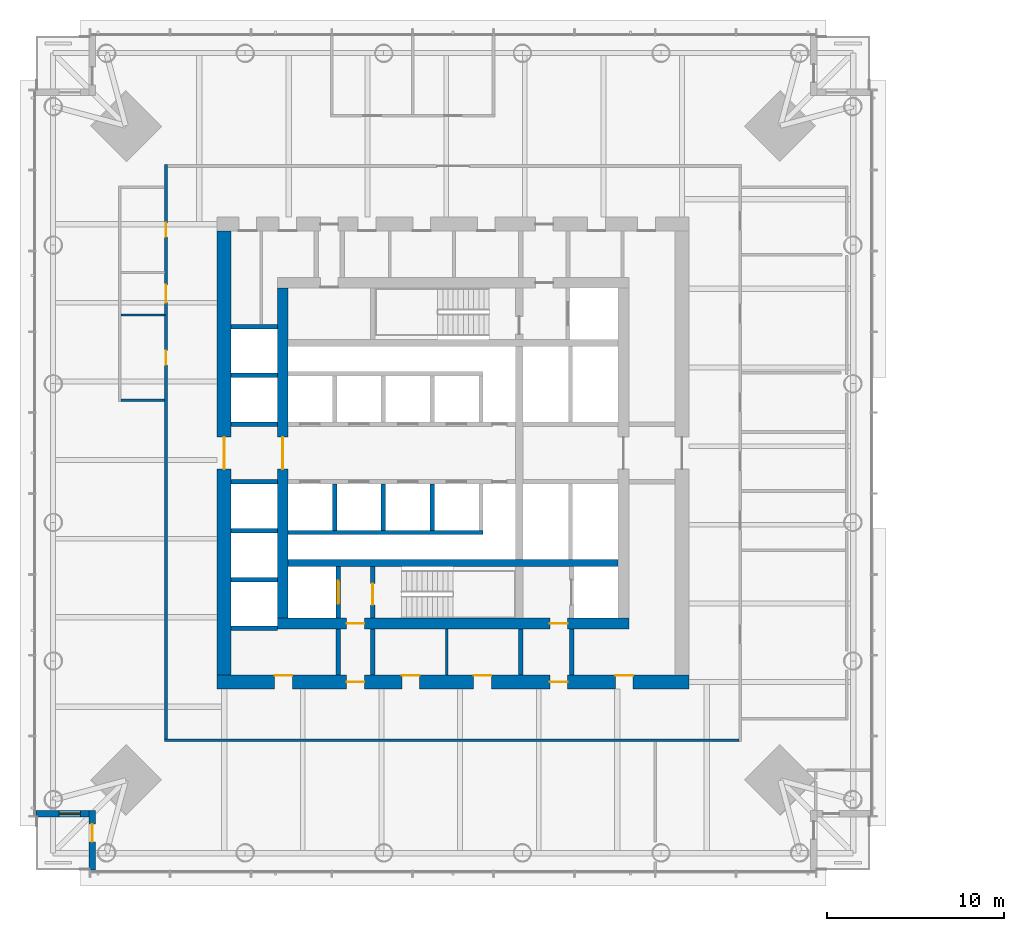
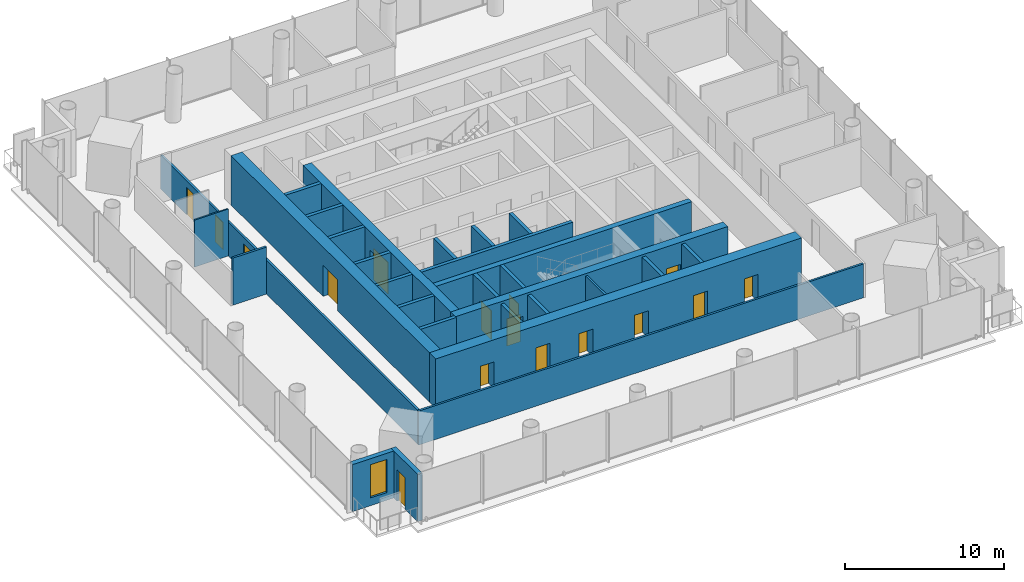
# One storey, part 9 of 26: 29 walls, 16 doors, 1 window, 17 openings.
"""IFC4 building model written with IfcOpenShell, lengths in metres."""

from ifc_helpers import new_model, si_unit, direction, frame, frame_2d, origin, place, context, subcontext, project, spatial, rectangle, extrude, material, layer, layer_set, type_object, element, fill, save


model = new_model("IFC4")

# Units and contexts
model_context = context("Model", 3, precision=1e-05, world=origin(), true_north=direction((0.0, 1.0)))
body_context = subcontext(model_context, "Body", "Model", "MODEL_VIEW")
ifc_project = project(units=[si_unit("LENGTHUNIT", "METRE"), si_unit("AREAUNIT", "SQUARE_METRE"), si_unit("VOLUMEUNIT", "CUBIC_METRE"), si_unit("PLANEANGLEUNIT", "RADIAN"), si_unit("MASSUNIT", "GRAM", prefix="KILO")], contexts=[model_context])

# Site, building, storey
site_placement = place(None, origin())
site = spatial("IfcSite", under=ifc_project, at=site_placement, CompositionType="ELEMENT")
building_placement = place(site_placement, origin())
building = spatial("IfcBuilding", under=site, at=building_placement, Name="Ostroluk Exchange", CompositionType="ELEMENT")
storey_placement = place(building_placement, frame((0.0, 0.0, 66.60009765625)))
storey = spatial("IfcBuildingStorey", under=building, at=storey_placement, Name="L16", CompositionType="ELEMENT", Elevation=66.60009765625)

# Walls
ifc_material_1 = material(Name="Concrete blockwork", Category="masonry")
ifc_layer_1 = layer(ifc_material_1, 0.10009765625)
ifc_layer_set_1 = layer_set([ifc_layer_1], Name="Blockwork WC wall 100")
wall_type_1 = type_object("IfcWallType", Name="Blockwork WC wall 100", PredefinedType="SOLIDWALL", material=ifc_layer_set_1)
wall_1_placement = place(storey_placement, frame((28.75, 53.77490234375, 0.0), z_axis=(0.0, 0.0, 1.0), x_axis=(-1.0, 0.0, 0.0)))
element("IfcWall", 1, at=wall_1_placement, inside=storey, type_object=wall_type_1, Name="Blockwork WC wall", PredefinedType="SOLIDWALL", context=body_context, shape_type="SweptSolid", body=[
    extrude(rectangle(XDim=2.449951171875, YDim=0.10009765625, at=frame_2d((1.22509765625, 0.0))), origin(), (0.0, 0.0, 1.0), 3.619873046875),
])
ifc_material_2 = material(Name="Concrete blockwork", Category="masonry")
ifc_layer_2 = layer(ifc_material_2, 0.14990234375)
ifc_layer_set_2 = layer_set([ifc_layer_2], Name="Blockwork plant room wall 150")
wall_type_2 = type_object("IfcWallType", Name="Blockwork plant room wall 150", PredefinedType="SOLIDWALL", material=ifc_layer_set_2)
wall_2_placement = place(storey_placement, frame((44.639892578125, 33.5, 0.0), z_axis=(0.0, 0.0, 1.0), x_axis=(0.0, 1.0, 0.0)))
element("IfcWall", 2, at=wall_2_placement, inside=storey, type_object=wall_type_2, Name="Core room wall", PredefinedType="SOLIDWALL", context=body_context, shape_type="SweptSolid", body=[
    extrude(rectangle(XDim=2.60009765625, YDim=0.14990234375, at=frame_2d((1.300048828125, 0.0))), origin(), (0.0, 0.0, 1.0), 3.619873046875),
])
ifc_material_3 = material(Name="Concrete blockwork", Category="masonry")
ifc_layer_3 = layer(ifc_material_3, 0.25)
ifc_layer_set_3 = layer_set([ifc_layer_3], Name="Blockwork stair enclosure wall 250")
wall_type_3 = type_object("IfcWallType", Name="Blockwork stair enclosure wall 250", PredefinedType="SOLIDWALL", material=ifc_layer_set_3)
for number, where, z_axis, x_axis, name in (
    (3, (38.52490234375, 33.5, 0.0), (0.0, 0.0, 1.0), (0.0, 1.0, 0.0), "Fire lobby enclosure wall"),
    (4, (40.47509765625, 33.5, 0.0), (0.0, 0.0, 1.0), (0.0, 1.0, 0.0), "Fire lobby enclosure wall"),
    (5, (48.804931640625, 33.5, 0.0), (0.0, 0.0, 1.0), (0.0, 1.0, 0.0), "Service lobby enclosure wall"),
    (6, (51.675048828125, 33.5, 0.0), (0.0, 0.0, 1.0), (0.0, 1.0, 0.0), "Service lobby enclosure wall"),
):
    element("IfcWall", number, at=place(storey_placement, frame(where, z_axis=z_axis, x_axis=x_axis)), inside=storey, type_object=wall_type_3, Name=name, PredefinedType="SOLIDWALL", context=body_context, shape_type="SweptSolid", body=[
        extrude(rectangle(XDim=2.60009765625, YDim=0.25, at=frame_2d((1.300048828125, 0.0))), origin(), (0.0, 0.0, 1.0), 3.619873046875),
    ])
ifc_material_4 = material(Name="Concrete C50/60", Category="concrete")
ifc_layer_4 = layer(ifc_material_4, 0.39990234375)
ifc_layer_set_4 = layer_set([ifc_layer_4], Name="Core cross wall 400 C50/60")
wall_type_4 = type_object("IfcWallType", Name="Core cross wall 400 C50/60", PredefinedType="SHEAR", material=ifc_layer_set_4)
wall_3_placement = place(storey_placement, frame((35.699951171875, 39.800048828125, 0.0), z_axis=(0.0, 0.0, 1.0), x_axis=(1.0, 0.0, 0.0)))
element("IfcWall", 7, at=wall_3_placement, inside=storey, type_object=wall_type_4, Name="T1 core wall XS", PredefinedType="SHEAR", context=body_context, shape_type="SweptSolid", body=[
    extrude(rectangle(XDim=18.60009765625, YDim=0.39990234375, at=frame_2d((9.300048828125, 0.0))), origin(), (0.0, 0.0, 1.0), 3.7998046875),
])

# Wall, opening, door
ifc_material_5 = material(Name="Concrete C40/50", Category="concrete")
ifc_layer_5 = layer(ifc_material_5, 0.25)
ifc_layer_set_5 = layer_set([ifc_layer_5], Name="Core shaft wall 250")
wall_type_5 = type_object("IfcWallType", Name="Core shaft wall 250", PredefinedType="SHEAR", material=ifc_layer_set_5)
wall_4_placement = place(storey_placement, frame((38.52490234375, 36.699951171875, 0.0), z_axis=(0.0, 0.0, 1.0), x_axis=(0.0, 1.0, 0.0)))
wall_4 = element("IfcWall", 8, at=wall_4_placement, inside=storey, type_object=wall_type_5, Name="Firefighting lift shaft wall", PredefinedType="SHEAR", context=body_context, shape_type="SweptSolid", body=[
    extrude(rectangle(XDim=2.900146484375, YDim=0.25, at=frame_2d((1.4501953125, 0.0))), origin(), (0.0, 0.0, 1.0), 3.7998046875),
])
opening_1_placement = place(wall_4_placement, frame((0.800048828125, 0.0, 0.0)))
opening_1 = element("IfcOpeningElement", 9, at=opening_1_placement, cuts=wall_4, Name="Opening LD2", PredefinedType="OPENING", context=body_context, shape_type="SweptSolid", body=[
    extrude(rectangle(XDim=1.300048828125, YDim=2.199951171875, at=frame_2d((0.64990234375, 1.10009765625))), frame((0.0, 0.135009765625, 0.0), z_axis=(0.0, -1.0, 0.0), x_axis=(1.0, 0.0, 0.0)), (0.0, 0.0, 1.0), 0.27001953125),
])
ifc_material_6 = material(Name="Stainless steel", Category="steel")
door_type_1 = type_object("IfcDoorType", Name="Lift landing door E 60 1300 x 2200", OperationType="DOUBLE_DOOR_SLIDING", PredefinedType="DOOR", material=ifc_material_6)
door_1_placement = place(opening_1_placement, origin())
door_1 = element("IfcDoor", 10, at=door_1_placement, inside=storey, type_object=door_type_1, Name="Lift FL1 landing door", OperationType="DOUBLE_DOOR_SLIDING", OverallHeight=2.199951171875, OverallWidth=1.300048828125, PredefinedType="DOOR", context=body_context, shape_type="SweptSolid", body=[
    extrude(rectangle(XDim=1.300048828125, YDim=2.199951171875, at=frame_2d((0.64990234375, 1.10009765625))), frame((0.0, 0.02490234375, 0.0), z_axis=(0.0, -1.0, 0.0), x_axis=(1.0, 0.0, 0.0)), (0.0, 0.0, 1.0), 0.050048828125),
])
fill(opening_1, door_1)

wall_5_placement = place(storey_placement, frame((40.47509765625, 36.699951171875, 0.0), z_axis=(0.0, 0.0, 1.0), x_axis=(0.0, 1.0, 0.0)))
wall_5 = element("IfcWall", 11, at=wall_5_placement, inside=storey, type_object=wall_type_5, Name="Stair shaft wall", PredefinedType="SHEAR", context=body_context, shape_type="SweptSolid", body=[
    extrude(rectangle(XDim=2.900146484375, YDim=0.25, at=frame_2d((1.4501953125, 0.0))), origin(), (0.0, 0.0, 1.0), 3.7998046875),
])
opening_2_placement = place(wall_5_placement, frame((0.75, 0.0, 0.0)))
opening_2 = element("IfcOpeningElement", 12, at=opening_2_placement, cuts=wall_5, Name="Opening FD60S", PredefinedType="OPENING", context=body_context, shape_type="SweptSolid", body=[
    extrude(rectangle(XDim=1.199951171875, YDim=2.10009765625, at=frame_2d((0.60009765625, 1.050048828125))), frame((0.0, 0.135009765625, 0.0), z_axis=(0.0, -1.0, 0.0), x_axis=(1.0, 0.0, 0.0)), (0.0, 0.0, 1.0), 0.27001953125),
])
ifc_material_7 = material(Name="Steel", Category="steel")
door_type_2 = type_object("IfcDoorType", Name="Stair door EI 60 1200 x 2100", OperationType="SINGLE_SWING_LEFT", PredefinedType="DOOR", material=ifc_material_7)
door_2_placement = place(opening_2_placement, origin())
door_2 = element("IfcDoor", 13, at=door_2_placement, inside=storey, type_object=door_type_2, Name="Stair T1-S1 door", OperationType="SINGLE_SWING_LEFT", OverallHeight=2.10009765625, OverallWidth=1.199951171875, PredefinedType="DOOR", context=body_context, shape_type="SweptSolid", body=[
    extrude(rectangle(XDim=1.199951171875, YDim=2.10009765625, at=frame_2d((0.60009765625, 1.050048828125))), frame((0.0, 0.02490234375, 0.0), z_axis=(0.0, -1.0, 0.0), x_axis=(1.0, 0.0, 0.0)), (0.0, 0.0, 1.0), 0.050048828125),
])
fill(opening_2, door_2)

# Walls
for number, where, z_axis, x_axis, name in (
    (14, (38.324951171875, 44.25, 0.0), (0.0, 0.0, 1.0), (0.0, -1.0, 0.0), "Lift shaft wall"),
    (15, (41.074951171875, 44.25, 0.0), (0.0, 0.0, 1.0), (0.0, -1.0, 0.0), "Lift shaft wall"),
    (16, (43.824951171875, 44.25, 0.0), (0.0, 0.0, 1.0), (0.0, -1.0, 0.0), "Lift shaft wall"),
):
    element("IfcWall", number, at=place(storey_placement, frame(where, z_axis=z_axis, x_axis=x_axis)), inside=storey, type_object=wall_type_5, Name=name, PredefinedType="SHEAR", context=body_context, shape_type="SweptSolid", body=[
        extrude(rectangle(XDim=2.60009765625, YDim=0.25, at=frame_2d((1.300048828125, 0.0))), origin(), (0.0, 0.0, 1.0), 3.7998046875),
    ])
wall_6_placement = place(storey_placement, frame((35.699951171875, 41.52490234375, 0.0), z_axis=(0.0, 0.0, 1.0), x_axis=(1.0, 0.0, 0.0)))
element("IfcWall", 17, at=wall_6_placement, inside=storey, type_object=wall_type_5, Name="Lift shaft wall", PredefinedType="SHEAR", context=body_context, shape_type="SweptSolid", body=[
    extrude(rectangle(XDim=11.0, YDim=0.25, at=frame_2d((5.5, 0.0))), origin(), (0.0, 0.0, 1.0), 3.7998046875),
])
for number, where, z_axis, x_axis, name in (
    (18, (32.5, 36.125, 0.0), (0.0, 0.0, 1.0), (1.0, 0.0, 0.0), "Lift shaft wall"),
    (19, (32.5, 38.875, 0.0), (0.0, 0.0, 1.0), (1.0, 0.0, 0.0), "Lift shaft wall"),
    (20, (32.5, 41.625, 0.0), (0.0, 0.0, 1.0), (1.0, 0.0, 0.0), "Lift shaft wall"),
    (21, (32.5, 44.375, 0.0), (0.0, 0.0, 1.0), (1.0, 0.0, 0.0), "Lift shaft wall"),
    (22, (32.5, 47.625, 0.0), (0.0, 0.0, 1.0), (1.0, 0.0, 0.0), "Lift shaft wall"),
    (23, (32.5, 50.375, 0.0), (0.0, 0.0, 1.0), (1.0, 0.0, 0.0), "Lift shaft wall"),
    (24, (32.5, 53.125, 0.0), (0.0, 0.0, 1.0), (1.0, 0.0, 0.0), "Lift shaft wall"),
):
    element("IfcWall", number, at=place(storey_placement, frame(where, z_axis=z_axis, x_axis=x_axis)), inside=storey, type_object=wall_type_5, Name=name, PredefinedType="SHEAR", context=body_context, shape_type="SweptSolid", body=[
        extrude(rectangle(XDim=2.60009765625, YDim=0.25, at=frame_2d((1.300048828125, 0.0))), origin(), (0.0, 0.0, 1.0), 3.7998046875),
    ])

# Wall, openings, doors
ifc_material_8 = material(Name="Concrete C50/60", Category="concrete")
ifc_layer_6 = layer(ifc_material_8, 0.60009765625)
ifc_layer_set_6 = layer_set([ifc_layer_6], Name="Core wall 600 C50/60")
wall_type_6 = type_object("IfcWallType", Name="Core wall 600 C50/60", PredefinedType="SHEAR", material=ifc_layer_set_6)
wall_7_placement = place(storey_placement, frame((35.10009765625, 36.39990234375, 0.0), z_axis=(0.0, 0.0, 1.0), x_axis=(1.0, 0.0, 0.0)))
wall_7 = element("IfcWall", 25, at=wall_7_placement, inside=storey, type_object=wall_type_6, Name="T1 core wall S", PredefinedType="SHEAR", context=body_context, shape_type="SweptSolid", body=[
    extrude(rectangle(XDim=19.7998046875, YDim=0.60009765625, at=frame_2d((9.89990234375, 0.0))), origin(), (0.0, 0.0, 1.0), 3.7998046875),
])
opening_3_placement = place(wall_7_placement, frame((3.89990234375, 0.0, 0.0)))
opening_3 = element("IfcOpeningElement", 26, at=opening_3_placement, cuts=wall_7, Name="Opening FD60", PredefinedType="OPENING", context=body_context, shape_type="SweptSolid", body=[
    extrude(rectangle(XDim=1.0, YDim=2.10009765625, at=frame_2d((0.5, 1.050048828125))), frame((0.0, 0.31005859375, 0.0), z_axis=(0.0, -1.0, 0.0), x_axis=(1.0, 0.0, 0.0)), (0.0, 0.0, 1.0), 0.6201171875),
])
opening_4_placement = place(wall_7_placement, frame((15.35009765625, 0.0, 0.0)))
opening_4 = element("IfcOpeningElement", 27, at=opening_4_placement, cuts=wall_7, Name="Opening FD60", PredefinedType="OPENING", context=body_context, shape_type="SweptSolid", body=[
    extrude(rectangle(XDim=1.0, YDim=2.10009765625, at=frame_2d((0.5, 1.050048828125))), frame((0.0, 0.31005859375, 0.0), z_axis=(0.0, -1.0, 0.0), x_axis=(1.0, 0.0, 0.0)), (0.0, 0.0, 1.0), 0.6201171875),
])
ifc_material_9 = material(Name="Steel", Category="steel")
door_type_3 = type_object("IfcDoorType", Name="Fire door EI 60 1000 x 2100", OperationType="SINGLE_SWING_LEFT", PredefinedType="DOOR", material=ifc_material_9)
door_3_placement = place(opening_3_placement, origin())
door_3 = element("IfcDoor", 28, at=door_3_placement, inside=storey, type_object=door_type_3, Name="Firefighting lobby door", OperationType="SINGLE_SWING_LEFT", OverallHeight=2.10009765625, OverallWidth=1.0, PredefinedType="DOOR", context=body_context, shape_type="SweptSolid", body=[
    extrude(rectangle(XDim=1.0, YDim=2.10009765625, at=frame_2d((0.5, 1.050048828125))), frame((0.0, 0.02490234375, 0.0), z_axis=(0.0, -1.0, 0.0), x_axis=(1.0, 0.0, 0.0)), (0.0, 0.0, 1.0), 0.050048828125),
])
fill(opening_3, door_3)
door_4_placement = place(opening_4_placement, origin())
door_4 = element("IfcDoor", 29, at=door_4_placement, inside=storey, type_object=door_type_3, Name="Service lobby door", OperationType="SINGLE_SWING_RIGHT", OverallHeight=2.10009765625, OverallWidth=1.0, PredefinedType="DOOR", context=body_context, shape_type="SweptSolid", body=[
    extrude(rectangle(XDim=1.0, YDim=2.10009765625, at=frame_2d((0.5, 1.050048828125))), frame((0.0, 0.02490234375, 0.0), z_axis=(0.0, -1.0, 0.0), x_axis=(1.0, 0.0, 0.0)), (0.0, 0.0, 1.0), 0.050048828125),
])
fill(opening_4, door_4)

# Wall, opening, door
wall_8_placement = place(storey_placement, frame((35.39990234375, 36.699951171875, 0.0), z_axis=(0.0, 0.0, 1.0), x_axis=(0.0, 1.0, 0.0)))
wall_8 = element("IfcWall", 30, at=wall_8_placement, inside=storey, type_object=wall_type_6, Name="T1 core wall W", PredefinedType="SHEAR", context=body_context, shape_type="SweptSolid", body=[
    extrude(rectangle(XDim=18.60009765625, YDim=0.60009765625, at=frame_2d((9.300048828125, 0.0))), origin(), (0.0, 0.0, 1.0), 3.7998046875),
])
opening_5_placement = place(wall_8_placement, frame((8.39990234375, 0.0, 0.0)))
opening_5 = element("IfcOpeningElement", 31, at=opening_5_placement, cuts=wall_8, Name="Opening FD30D", PredefinedType="OPENING", context=body_context, shape_type="SweptSolid", body=[
    extrude(rectangle(XDim=1.800048828125, YDim=2.39990234375, at=frame_2d((0.89990234375, 1.199951171875))), frame((0.0, 0.31005859375, 0.0), z_axis=(0.0, -1.0, 0.0), x_axis=(1.0, 0.0, 0.0)), (0.0, 0.0, 1.0), 0.6201171875),
])
ifc_material_10 = material(Name="Timber", Category="wood")
door_type_4 = type_object("IfcDoorType", Name="Lobby double door EI 30 1800 x 2400", OperationType="DOUBLE_DOOR_SINGLE_SWING", PredefinedType="DOOR", material=ifc_material_10)
door_5_placement = place(opening_5_placement, origin())
door_5 = element("IfcDoor", 32, at=door_5_placement, inside=storey, type_object=door_type_4, Name="Lift lobby doors", OperationType="DOUBLE_DOOR_SINGLE_SWING", OverallHeight=2.39990234375, OverallWidth=1.800048828125, PredefinedType="DOOR", context=body_context, shape_type="SweptSolid", body=[
    extrude(rectangle(XDim=1.800048828125, YDim=2.39990234375, at=frame_2d((0.89990234375, 1.199951171875))), frame((0.0, 0.02490234375, 0.0), z_axis=(0.0, -1.0, 0.0), x_axis=(1.0, 0.0, 0.0)), (0.0, 0.0, 1.0), 0.050048828125),
])
fill(opening_5, door_5)

# Wall, openings, doors
ifc_material_11 = material(Name="Concrete C50/60", Category="concrete")
ifc_layer_7 = layer(ifc_material_11, 0.800048828125)
ifc_layer_set_7 = layer_set([ifc_layer_7], Name="Core wall 800 C50/60")
wall_type_7 = type_object("IfcWallType", Name="Core wall 800 C50/60", PredefinedType="SHEAR", material=ifc_layer_set_7)
wall_9_placement = place(storey_placement, frame((31.699951171875, 33.10009765625, 0.0), z_axis=(0.0, 0.0, 1.0), x_axis=(1.0, 0.0, 0.0)))
wall_9 = element("IfcWall", 33, at=wall_9_placement, inside=storey, type_object=wall_type_7, Name="T1 core wall RS", PredefinedType="SHEAR", context=body_context, shape_type="SweptSolid", body=[
    extrude(rectangle(XDim=26.60009765625, YDim=0.800048828125, at=frame_2d((13.300048828125, 0.0))), origin(), (0.0, 0.0, 1.0), 3.7998046875),
])
opening_6_placement = place(wall_9_placement, frame((7.300048828125, 0.0, 0.0)))
opening_6 = element("IfcOpeningElement", 34, at=opening_6_placement, cuts=wall_9, Name="Opening FD60", PredefinedType="OPENING", context=body_context, shape_type="SweptSolid", body=[
    extrude(rectangle(XDim=1.0, YDim=2.10009765625, at=frame_2d((0.5, 1.050048828125))), frame((0.0, 0.409912109375, 0.0), z_axis=(0.0, -1.0, 0.0), x_axis=(1.0, 0.0, 0.0)), (0.0, 0.0, 1.0), 0.820068359375),
])
opening_7_placement = place(wall_9_placement, frame((18.75, 0.0, 0.0)))
opening_7 = element("IfcOpeningElement", 35, at=opening_7_placement, cuts=wall_9, Name="Opening FD60", PredefinedType="OPENING", context=body_context, shape_type="SweptSolid", body=[
    extrude(rectangle(XDim=1.0, YDim=2.10009765625, at=frame_2d((0.5, 1.050048828125))), frame((0.0, 0.409912109375, 0.0), z_axis=(0.0, -1.0, 0.0), x_axis=(1.0, 0.0, 0.0)), (0.0, 0.0, 1.0), 0.820068359375),
])
opening_8_placement = place(wall_9_placement, frame((3.25, 0.0, 0.0)))
opening_8 = element("IfcOpeningElement", 36, at=opening_8_placement, cuts=wall_9, Name="Opening FD60", PredefinedType="OPENING", context=body_context, shape_type="SweptSolid", body=[
    extrude(rectangle(XDim=1.0, YDim=2.10009765625, at=frame_2d((0.5, 1.050048828125))), frame((0.0, 0.409912109375, 0.0), z_axis=(0.0, -1.0, 0.0), x_axis=(1.0, 0.0, 0.0)), (0.0, 0.0, 1.0), 0.820068359375),
])
opening_9_placement = place(wall_9_placement, frame((10.419921875, 0.0, 0.0)))
opening_9 = element("IfcOpeningElement", 37, at=opening_9_placement, cuts=wall_9, Name="Opening FD60", PredefinedType="OPENING", context=body_context, shape_type="SweptSolid", body=[
    extrude(rectangle(XDim=1.0, YDim=2.10009765625, at=frame_2d((0.5, 1.050048828125))), frame((0.0, 0.409912109375, 0.0), z_axis=(0.0, -1.0, 0.0), x_axis=(1.0, 0.0, 0.0)), (0.0, 0.0, 1.0), 0.820068359375),
])
opening_10_placement = place(wall_9_placement, frame((14.4599609375, 0.0, 0.0)))
opening_10 = element("IfcOpeningElement", 38, at=opening_10_placement, cuts=wall_9, Name="Opening FD60", PredefinedType="OPENING", context=body_context, shape_type="SweptSolid", body=[
    extrude(rectangle(XDim=1.0, YDim=2.10009765625, at=frame_2d((0.5, 1.050048828125))), frame((0.0, 0.409912109375, 0.0), z_axis=(0.0, -1.0, 0.0), x_axis=(1.0, 0.0, 0.0)), (0.0, 0.0, 1.0), 0.820068359375),
])
opening_11_placement = place(wall_9_placement, frame((22.449951171875, 0.0, 0.0)))
opening_11 = element("IfcOpeningElement", 39, at=opening_11_placement, cuts=wall_9, Name="Opening FD60", PredefinedType="OPENING", context=body_context, shape_type="SweptSolid", body=[
    extrude(rectangle(XDim=1.0, YDim=2.10009765625, at=frame_2d((0.5, 1.050048828125))), frame((0.0, 0.409912109375, 0.0), z_axis=(0.0, -1.0, 0.0), x_axis=(1.0, 0.0, 0.0)), (0.0, 0.0, 1.0), 0.820068359375),
])
door_6_placement = place(opening_6_placement, origin())
door_6 = element("IfcDoor", 40, at=door_6_placement, inside=storey, type_object=door_type_3, Name="Firefighting lobby door", OperationType="SINGLE_SWING_LEFT", OverallHeight=2.10009765625, OverallWidth=1.0, PredefinedType="DOOR", context=body_context, shape_type="SweptSolid", body=[
    extrude(rectangle(XDim=1.0, YDim=2.10009765625, at=frame_2d((0.5, 1.050048828125))), frame((0.0, 0.02490234375, 0.0), z_axis=(0.0, -1.0, 0.0), x_axis=(1.0, 0.0, 0.0)), (0.0, 0.0, 1.0), 0.050048828125),
])
fill(opening_6, door_6)
door_7_placement = place(opening_7_placement, origin())
door_7 = element("IfcDoor", 41, at=door_7_placement, inside=storey, type_object=door_type_3, Name="Service lobby door", OperationType="SINGLE_SWING_RIGHT", OverallHeight=2.10009765625, OverallWidth=1.0, PredefinedType="DOOR", context=body_context, shape_type="SweptSolid", body=[
    extrude(rectangle(XDim=1.0, YDim=2.10009765625, at=frame_2d((0.5, 1.050048828125))), frame((0.0, 0.02490234375, 0.0), z_axis=(0.0, -1.0, 0.0), x_axis=(1.0, 0.0, 0.0)), (0.0, 0.0, 1.0), 0.050048828125),
])
fill(opening_7, door_7)
door_8_placement = place(opening_8_placement, origin())
door_8 = element("IfcDoor", 42, at=door_8_placement, inside=storey, type_object=door_type_3, Name="Archive door", OperationType="SINGLE_SWING_LEFT", OverallHeight=2.10009765625, OverallWidth=1.0, PredefinedType="DOOR", context=body_context, shape_type="SweptSolid", body=[
    extrude(rectangle(XDim=1.0, YDim=2.10009765625, at=frame_2d((0.5, 1.050048828125))), frame((0.0, 0.39013671875, 0.0), z_axis=(0.0, -1.0, 0.0), x_axis=(1.0, 0.0, 0.0)), (0.0, 0.0, 1.0), 0.050048828125),
])
fill(opening_8, door_8)
door_9_placement = place(opening_9_placement, origin())
door_9 = element("IfcDoor", 43, at=door_9_placement, inside=storey, type_object=door_type_3, Name="Tea point door", OperationType="SINGLE_SWING_LEFT", OverallHeight=2.10009765625, OverallWidth=1.0, PredefinedType="DOOR", context=body_context, shape_type="SweptSolid", body=[
    extrude(rectangle(XDim=1.0, YDim=2.10009765625, at=frame_2d((0.5, 1.050048828125))), frame((0.0, 0.39013671875, 0.0), z_axis=(0.0, -1.0, 0.0), x_axis=(1.0, 0.0, 0.0)), (0.0, 0.0, 1.0), 0.050048828125),
])
fill(opening_9, door_9)
door_10_placement = place(opening_10_placement, origin())
door_10 = element("IfcDoor", 44, at=door_10_placement, inside=storey, type_object=door_type_3, Name="Print and post room door", OperationType="SINGLE_SWING_RIGHT", OverallHeight=2.10009765625, OverallWidth=1.0, PredefinedType="DOOR", context=body_context, shape_type="SweptSolid", body=[
    extrude(rectangle(XDim=1.0, YDim=2.10009765625, at=frame_2d((0.5, 1.050048828125))), frame((0.0, 0.39013671875, 0.0), z_axis=(0.0, -1.0, 0.0), x_axis=(1.0, 0.0, 0.0)), (0.0, 0.0, 1.0), 0.050048828125),
])
fill(opening_10, door_10)
door_11_placement = place(opening_11_placement, origin())
door_11 = element("IfcDoor", 45, at=door_11_placement, inside=storey, type_object=door_type_3, Name="Tenant IT room door", OperationType="SINGLE_SWING_RIGHT", OverallHeight=2.10009765625, OverallWidth=1.0, PredefinedType="DOOR", context=body_context, shape_type="SweptSolid", body=[
    extrude(rectangle(XDim=1.0, YDim=2.10009765625, at=frame_2d((0.5, 1.050048828125))), frame((0.0, 0.39013671875, 0.0), z_axis=(0.0, -1.0, 0.0), x_axis=(1.0, 0.0, 0.0)), (0.0, 0.0, 1.0), 0.050048828125),
])
fill(opening_11, door_11)

# Wall, opening, door
wall_10_placement = place(storey_placement, frame((32.10009765625, 33.5, 0.0), z_axis=(0.0, 0.0, 1.0), x_axis=(0.0, 1.0, 0.0)))
wall_10 = element("IfcWall", 46, at=wall_10_placement, inside=storey, type_object=wall_type_7, Name="T1 core wall RW", PredefinedType="SHEAR", context=body_context, shape_type="SweptSolid", body=[
    extrude(rectangle(XDim=25.0, YDim=0.800048828125, at=frame_2d((12.5, 0.0))), origin(), (0.0, 0.0, 1.0), 3.7998046875),
])
opening_12_placement = place(wall_10_placement, frame((11.60009765625, 0.0, 0.0)))
opening_12 = element("IfcOpeningElement", 47, at=opening_12_placement, cuts=wall_10, Name="Opening FD30D", PredefinedType="OPENING", context=body_context, shape_type="SweptSolid", body=[
    extrude(rectangle(XDim=1.800048828125, YDim=2.39990234375, at=frame_2d((0.89990234375, 1.199951171875))), frame((0.0, 0.409912109375, 0.0), z_axis=(0.0, -1.0, 0.0), x_axis=(1.0, 0.0, 0.0)), (0.0, 0.0, 1.0), 0.820068359375),
])
door_12_placement = place(opening_12_placement, origin())
door_12 = element("IfcDoor", 48, at=door_12_placement, inside=storey, type_object=door_type_4, Name="Lift lobby doors", OperationType="DOUBLE_DOOR_SINGLE_SWING", OverallHeight=2.39990234375, OverallWidth=1.800048828125, PredefinedType="DOOR", context=body_context, shape_type="SweptSolid", body=[
    extrude(rectangle(XDim=1.800048828125, YDim=2.39990234375, at=frame_2d((0.89990234375, 1.199951171875))), frame((0.0, 0.02490234375, 0.0), z_axis=(0.0, -1.0, 0.0), x_axis=(1.0, 0.0, 0.0)), (0.0, 0.0, 1.0), 0.050048828125),
])
fill(opening_12, door_12)

ifc_material_12 = material(Name="Limestone", Category="masonry")
ifc_layer_8 = layer(ifc_material_12, 0.35009765625)
ifc_layer_set_8 = layer_set([ifc_layer_8], Name="Limestone facade wall 350")
wall_type_8 = type_object("IfcWallType", Name="Limestone facade wall 350", PredefinedType="SOLIDWALL", material=ifc_layer_set_8)
wall_11_placement = place(storey_placement, frame((24.675048828125, 22.5, 0.0), z_axis=(0.0, 0.0, 1.0), x_axis=(0.0, 1.0, 0.0)))
wall_11 = element("IfcWall", 49, at=wall_11_placement, inside=storey, type_object=wall_type_8, Name="Office tower SW corner wall L16 a", PredefinedType="SOLIDWALL", context=body_context, shape_type="SweptSolid", body=[
    extrude(rectangle(XDim=3.35009765625, YDim=0.35009765625, at=frame_2d((1.675048828125, 0.0))), origin(), (0.0, 0.0, 1.0), 3.619873046875),
])
opening_13_placement = place(wall_11_placement, frame((1.60009765625, 0.0, 0.0)))
opening_13 = element("IfcOpeningElement", 50, at=opening_13_placement, cuts=wall_11, Name="Opening D-B1", PredefinedType="OPENING", context=body_context, shape_type="SweptSolid", body=[
    extrude(rectangle(XDim=1.0, YDim=2.39990234375, at=frame_2d((0.5, 1.199951171875))), frame((0.0, 0.18505859375, 0.0), z_axis=(0.0, -1.0, 0.0), x_axis=(1.0, 0.0, 0.0)), (0.0, 0.0, 1.0), 0.3701171875),
])
ifc_material_13 = material(Name="Bronze framed glazed door", Category="aluminium")
door_type_5 = type_object("IfcDoorType", Name="Balcony door 1000 x 2400", OperationType="SINGLE_SWING_LEFT", PredefinedType="DOOR", material=ifc_material_13)
door_13_placement = place(opening_13_placement, origin())
door_13 = element("IfcDoor", 51, at=door_13_placement, inside=storey, type_object=door_type_5, Name="Office tower SW balcony door L16", OperationType="SINGLE_SWING_RIGHT", OverallHeight=2.39990234375, OverallWidth=1.0, PredefinedType="DOOR", context=body_context, shape_type="SweptSolid", body=[
    extrude(rectangle(XDim=1.0, YDim=2.39990234375, at=frame_2d((0.5, 1.199951171875))), frame((0.0, 0.02490234375, 0.0), z_axis=(0.0, -1.0, 0.0), x_axis=(1.0, 0.0, 0.0)), (0.0, 0.0, 1.0), 0.050048828125),
])
fill(opening_13, door_13)

# Wall, opening, window
wall_12_placement = place(storey_placement, frame((24.5, 25.675048828125, 0.0), z_axis=(0.0, 0.0, 1.0), x_axis=(-1.0, 0.0, 0.0)))
wall_12 = element("IfcWall", 52, at=wall_12_placement, inside=storey, type_object=wall_type_8, Name="Office tower SW corner wall L16 b", PredefinedType="SOLIDWALL", context=body_context, shape_type="SweptSolid", body=[
    extrude(rectangle(XDim=3.0, YDim=0.35009765625, at=frame_2d((1.5, 0.0))), origin(), (0.0, 0.0, 1.0), 3.619873046875),
])
opening_14_placement = place(wall_12_placement, frame((0.5, 0.0, 0.60009765625)))
opening_14 = element("IfcOpeningElement", 53, at=opening_14_placement, cuts=wall_12, Name="Opening WN-L1", PredefinedType="OPENING", context=body_context, shape_type="SweptSolid", body=[
    extrude(rectangle(XDim=1.199951171875, YDim=2.550048828125, at=frame_2d((0.60009765625, 1.27490234375))), frame((0.0, 0.18505859375, 0.0), z_axis=(0.0, -1.0, 0.0), x_axis=(1.0, 0.0, 0.0)), (0.0, 0.0, 1.0), 0.3701171875),
])
ifc_material_14 = material(Name="Laminated clear glass", Category="glass")
window_type = type_object("IfcWindowType", Name="Lancet window 1200 x 2550", PartitioningType="SINGLE_PANEL", PredefinedType="WINDOW", material=ifc_material_14)
window_placement = place(opening_14_placement, origin())
window = element("IfcWindow", 54, at=window_placement, inside=storey, type_object=window_type, Name="Office tower SW lancet window L16", OverallHeight=2.550048828125, OverallWidth=1.199951171875, PartitioningType="SINGLE_PANEL", PredefinedType="WINDOW", context=body_context, shape_type="SweptSolid", body=[
    extrude(rectangle(XDim=1.199951171875, YDim=2.550048828125, at=frame_2d((0.60009765625, 1.27490234375))), frame((0.0, 0.030029296875, 0.0), z_axis=(0.0, -1.0, 0.0), x_axis=(1.0, 0.0, 0.0)), (0.0, 0.0, 1.0), 0.06005859375),
])
fill(opening_14, window)

# Wall, openings, doors
ifc_material_15 = material(Name="Gypsum plasterboard partition", Category="gypsum")
ifc_layer_9 = layer(ifc_material_15, 0.14990234375)
ifc_layer_set_9 = layer_set([ifc_layer_9], Name="Plasterboard partition 150")
wall_type_9 = type_object("IfcWallType", Name="Plasterboard partition 150", PredefinedType="PARTITIONING", material=ifc_layer_set_9)
wall_13_placement = place(storey_placement, frame((28.824951171875, 62.25, 0.0), z_axis=(0.0, 0.0, 1.0), x_axis=(0.0, -1.0, 0.0)))
wall_13 = element("IfcWall", 55, at=wall_13_placement, inside=storey, type_object=wall_type_9, Name="Corridor wall", PredefinedType="PARTITIONING", context=body_context, shape_type="SweptSolid", body=[
    extrude(rectangle(XDim=32.35009765625, YDim=0.14990234375, at=frame_2d((16.175048828125, 0.0))), origin(), (0.0, 0.0, 1.0), 2.61181640625),
])
opening_15_placement = place(wall_13_placement, frame((3.27490234375, 0.0, 0.0)))
opening_15 = element("IfcOpeningElement", 56, at=opening_15_placement, cuts=wall_13, Name="Opening D-06", PredefinedType="OPENING", context=body_context, shape_type="SweptSolid", body=[
    extrude(rectangle(XDim=0.800048828125, YDim=2.10009765625, at=frame_2d((0.39990234375, 1.050048828125))), frame((0.0, 0.0849609375, 0.0), z_axis=(0.0, -1.0, 0.0), x_axis=(1.0, 0.0, 0.0)), (0.0, 0.0, 1.0), 0.169921875),
])
opening_16_placement = place(wall_13_placement, frame((6.77490234375, 0.0, 0.0)))
opening_16 = element("IfcOpeningElement", 57, at=opening_16_placement, cuts=wall_13, Name="Opening D-03", PredefinedType="OPENING", context=body_context, shape_type="SweptSolid", body=[
    extrude(rectangle(XDim=1.0, YDim=2.10009765625, at=frame_2d((0.5, 1.050048828125))), frame((0.0, 0.0849609375, 0.0), z_axis=(0.0, -1.0, 0.0), x_axis=(1.0, 0.0, 0.0)), (0.0, 0.0, 1.0), 0.169921875),
])
opening_17_placement = place(wall_13_placement, frame((10.47509765625, 0.0, 0.0)))
opening_17 = element("IfcOpeningElement", 58, at=opening_17_placement, cuts=wall_13, Name="Opening D-06", PredefinedType="OPENING", context=body_context, shape_type="SweptSolid", body=[
    extrude(rectangle(XDim=0.800048828125, YDim=2.10009765625, at=frame_2d((0.39990234375, 1.050048828125))), frame((0.0, 0.0849609375, 0.0), z_axis=(0.0, -1.0, 0.0), x_axis=(1.0, 0.0, 0.0)), (0.0, 0.0, 1.0), 0.169921875),
])
ifc_material_16 = material(Name="Timber", Category="wood")
door_type_6 = type_object("IfcDoorType", Name="Internal door 1000 x 2100", OperationType="SINGLE_SWING_LEFT", PredefinedType="DOOR", material=ifc_material_16)
door_14_placement = place(opening_16_placement, origin())
door_14 = element("IfcDoor", 59, at=door_14_placement, inside=storey, type_object=door_type_6, Name="Accessible WC door", OperationType="SINGLE_SWING_LEFT", OverallHeight=2.10009765625, OverallWidth=1.0, PredefinedType="DOOR", context=body_context, shape_type="SweptSolid", body=[
    extrude(rectangle(XDim=1.0, YDim=2.10009765625, at=frame_2d((0.5, 1.050048828125))), frame((0.0, 0.02490234375, 0.0), z_axis=(0.0, -1.0, 0.0), x_axis=(1.0, 0.0, 0.0)), (0.0, 0.0, 1.0), 0.050048828125),
])
fill(opening_16, door_14)
ifc_material_17 = material(Name="Timber", Category="wood")
door_type_7 = type_object("IfcDoorType", Name="Toilet door 800 x 2100", OperationType="SINGLE_SWING_LEFT", PredefinedType="DOOR", material=ifc_material_17)
door_15_placement = place(opening_15_placement, origin())
door_15 = element("IfcDoor", 60, at=door_15_placement, inside=storey, type_object=door_type_7, Name="WC female door", OperationType="SINGLE_SWING_LEFT", OverallHeight=2.10009765625, OverallWidth=0.800048828125, PredefinedType="DOOR", context=body_context, shape_type="SweptSolid", body=[
    extrude(rectangle(XDim=0.800048828125, YDim=2.10009765625, at=frame_2d((0.39990234375, 1.050048828125))), frame((0.0, 0.02490234375, 0.0), z_axis=(0.0, -1.0, 0.0), x_axis=(1.0, 0.0, 0.0)), (0.0, 0.0, 1.0), 0.050048828125),
])
fill(opening_15, door_15)
door_16_placement = place(opening_17_placement, origin())
door_16 = element("IfcDoor", 61, at=door_16_placement, inside=storey, type_object=door_type_7, Name="WC male door", OperationType="SINGLE_SWING_LEFT", OverallHeight=2.10009765625, OverallWidth=0.800048828125, PredefinedType="DOOR", context=body_context, shape_type="SweptSolid", body=[
    extrude(rectangle(XDim=0.800048828125, YDim=2.10009765625, at=frame_2d((0.39990234375, 1.050048828125))), frame((0.0, 0.02490234375, 0.0), z_axis=(0.0, -1.0, 0.0), x_axis=(1.0, 0.0, 0.0)), (0.0, 0.0, 1.0), 0.050048828125),
])
fill(opening_17, door_16)

# Walls
wall_14_placement = place(storey_placement, frame((28.75, 29.824951171875, 0.0), z_axis=(0.0, 0.0, 1.0), x_axis=(1.0, 0.0, 0.0)))
element("IfcWall", 62, at=wall_14_placement, inside=storey, type_object=wall_type_9, Name="Corridor wall", PredefinedType="PARTITIONING", context=body_context, shape_type="SweptSolid", body=[
    extrude(rectangle(XDim=32.35009765625, YDim=0.14990234375, at=frame_2d((16.175048828125, 0.0))), origin(), (0.0, 0.0, 1.0), 2.61181640625),
])
ifc_material_18 = material(Name="Gypsum plasterboard partition, moisture resistant", Category="gypsum")
ifc_layer_10 = layer(ifc_material_18, 0.14990234375)
ifc_layer_set_10 = layer_set([ifc_layer_10], Name="Plasterboard toilet partition 150")
wall_type_10 = type_object("IfcWallType", Name="Plasterboard toilet partition 150", PredefinedType="PARTITIONING", material=ifc_layer_set_10)
wall_15_placement = place(storey_placement, frame((28.75, 48.97509765625, 0.0), z_axis=(0.0, 0.0, 1.0), x_axis=(-1.0, 0.0, 0.0)))
element("IfcWall", 63, at=wall_15_placement, inside=storey, type_object=wall_type_10, Name="Toilet partition", PredefinedType="PARTITIONING", context=body_context, shape_type="SweptSolid", body=[
    extrude(rectangle(XDim=2.449951171875, YDim=0.14990234375, at=frame_2d((1.22509765625, 0.0))), origin(), (0.0, 0.0, 1.0), 3.619873046875),
])

save(model, "model.ifc")
